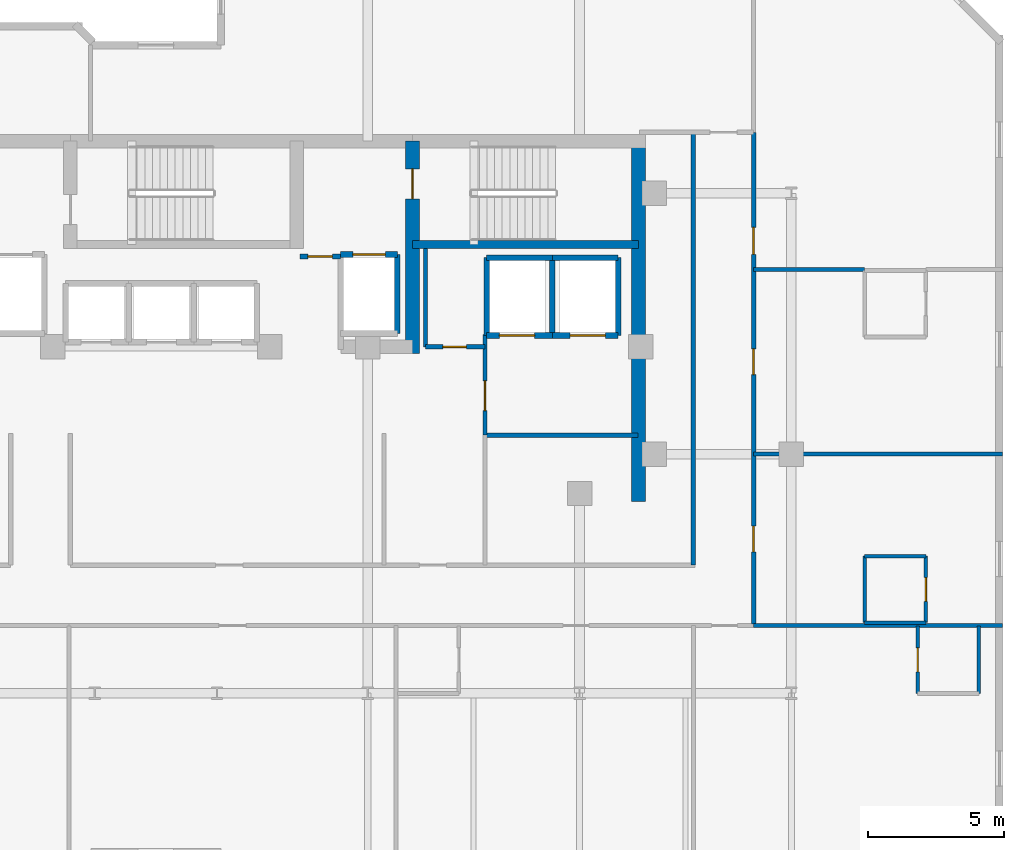
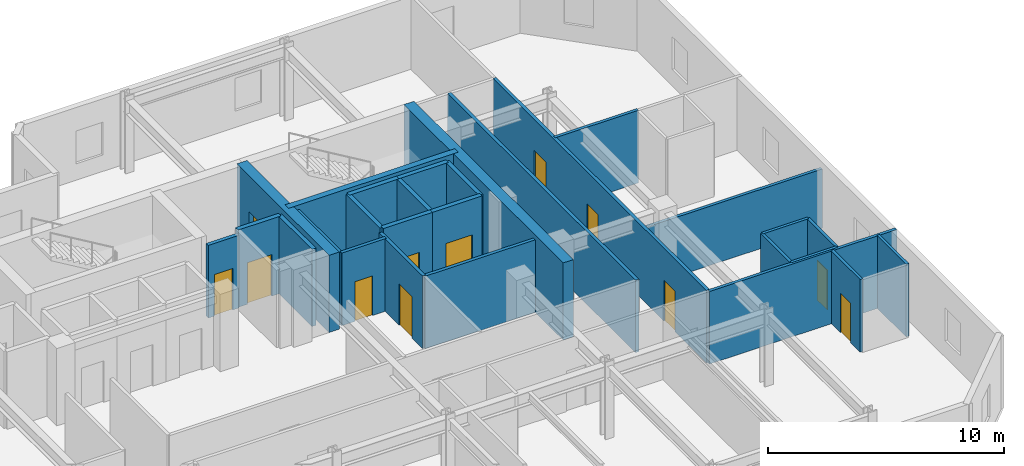
# One storey, part 6 of 10: 28 walls, 12 doors, 12 openings.
"""IFC4 building model written with IfcOpenShell, lengths in metres."""

from ifc_helpers import new_model, si_unit, direction, frame, frame_2d, origin, place, context, subcontext, project, spatial, rectangle, extrude, material, layer, layer_set, type_object, element, fill, save


model = new_model("IFC4")

# Units and contexts
model_context = context("Model", 3, precision=1e-05, world=origin(), true_north=direction((0.0, 1.0)))
body_context = subcontext(model_context, "Body", "Model", "MODEL_VIEW")
ifc_project = project(units=[si_unit("LENGTHUNIT", "METRE"), si_unit("AREAUNIT", "SQUARE_METRE"), si_unit("VOLUMEUNIT", "CUBIC_METRE"), si_unit("PLANEANGLEUNIT", "RADIAN"), si_unit("MASSUNIT", "GRAM", prefix="KILO")], contexts=[model_context])

# Site, building, storey
site_placement = place(None, origin())
site = spatial("IfcSite", under=ifc_project, at=site_placement, CompositionType="ELEMENT")
building_placement = place(site_placement, origin())
building = spatial("IfcBuilding", under=site, at=building_placement, Name="Kestravale Grand Hotel", CompositionType="ELEMENT")
storey_placement = place(building_placement, frame((0.0, 0.0, 269.39990234375)))
storey = spatial("IfcBuildingStorey", under=building, at=storey_placement, Name="L67", CompositionType="ELEMENT", Elevation=269.39990234375)

# Wall
ifc_material_1 = material(Name="Concrete f'c 50 MPa", Category="concrete")
ifc_layer_1 = layer(ifc_material_1, 0.5)
ifc_layer_set_1 = layer_set([ifc_layer_1], Name="EW-CORE-500")
wall_type_1 = type_object("IfcWallType", Name="EW-CORE-500", PredefinedType="SHEAR", material=ifc_layer_set_1)
wall_1_placement = place(storey_placement, frame((56.77001953125, 27.050048828125, 0.0), z_axis=(0.0, 0.0, 1.0), x_axis=(0.0, 1.0, 0.0)))
element("IfcWall", 1, at=wall_1_placement, inside=storey, type_object=wall_type_1, Name="L67 core shear wall E1", PredefinedType="SHEAR", context=body_context, shape_type="SweptSolid", body=[
    extrude(rectangle(XDim=13.52001953125, YDim=0.5, at=frame_2d((6.760009765625, 0.0))), origin(), (0.0, 0.0, 1.0), 4.0),
])

# Wall, opening, door
wall_2_placement = place(storey_placement, frame((48.449951171875, 32.5, 0.0), z_axis=(0.0, 0.0, 1.0), x_axis=(0.0, 1.0, 0.0)))
wall_2 = element("IfcWall", 2, at=wall_2_placement, inside=storey, type_object=wall_type_1, Name="L67 core shear wall X4", PredefinedType="SHEAR", context=body_context, shape_type="SweptSolid", body=[
    extrude(rectangle(XDim=7.820068359375, YDim=0.5, at=frame_2d((3.91015625, 0.0))), origin(), (0.0, 0.0, 1.0), 4.0),
])
opening_1_placement = place(wall_2_placement, frame((5.699951171875, 0.0, 0.0)))
opening_1 = element("IfcOpeningElement", 3, at=opening_1_placement, cuts=wall_2, Name="Opening D-ST-1100", PredefinedType="OPENING", context=body_context, shape_type="SweptSolid", body=[
    extrude(rectangle(XDim=1.10009765625, YDim=2.14990234375, at=frame_2d((0.550048828125, 1.074951171875))), frame((0.0, 0.260009765625, 0.0), z_axis=(0.0, -1.0, 0.0), x_axis=(1.0, 0.0, 0.0)), (0.0, 0.0, 1.0), 0.52001953125),
])
ifc_material_2 = material(Name="Galvanised 90-minute fire-rated steel stair door", Category="steel")
door_type_1 = type_object("IfcDoorType", Name="D-ST-1100", OperationType="NOTDEFINED", PredefinedType="DOOR", material=ifc_material_2)
door_1_placement = place(opening_1_placement, origin())
door_1 = element("IfcDoor", 4, at=door_1_placement, inside=storey, type_object=door_type_1, Name="L67 Stair ST-3 FSAE fire door", OperationType="SINGLE_SWING_RIGHT", OverallHeight=2.14990234375, OverallWidth=1.10009765625, PredefinedType="DOOR", context=body_context, shape_type="SweptSolid", body=[
    extrude(rectangle(XDim=1.10009765625, YDim=2.14990234375, at=frame_2d((0.550048828125, 1.074951171875))), frame((0.0, 0.02490234375, 0.0), z_axis=(0.0, -1.0, 0.0), x_axis=(1.0, 0.0, 0.0)), (0.0, 0.0, 1.0), 0.050048828125),
])
fill(opening_1, door_1)

# Wall
ifc_material_3 = material(Name="Concrete f'c 45 MPa", Category="concrete")
ifc_layer_2 = layer(ifc_material_3, 0.300048828125)
ifc_layer_set_2 = layer_set([ifc_layer_2], Name="EW-STAIR-300")
wall_type_2 = type_object("IfcWallType", Name="EW-STAIR-300", PredefinedType="SHEAR", material=ifc_layer_set_2)
wall_3_placement = place(storey_placement, frame((48.449951171875, 36.52001953125, 0.0), z_axis=(0.0, 0.0, 1.0), x_axis=(1.0, 0.0, 0.0)))
element("IfcWall", 5, at=wall_3_placement, inside=storey, type_object=wall_type_2, Name="L67 stair enclosure shear wall SST3", PredefinedType="SHEAR", context=body_context, shape_type="SweptSolid", body=[
    extrude(rectangle(XDim=8.320068359375, YDim=0.300048828125, at=frame_2d((4.16015625, 0.0))), origin(), (0.0, 0.0, 1.0), 4.0),
])

# Wall, opening, door
ifc_material_4 = material(Name="Acoustic fire-rated gypsum board partition", Category="other")
ifc_layer_3 = layer(ifc_material_4, 0.159912109375)
ifc_layer_set_3 = layer_set([ifc_layer_3], Name="IW-CORR-160")
wall_type_3 = type_object("IfcWallType", Name="IW-CORR-160", PredefinedType="PARTITIONING", material=ifc_layer_set_3)
wall_4_placement = place(storey_placement, frame((51.1201171875, 29.5, 0.0), z_axis=(0.0, 0.0, 1.0), x_axis=(0.0, 1.0, 0.0)))
wall_4 = element("IfcWall", 6, at=wall_4_placement, inside=storey, type_object=wall_type_3, Name="W-L67-SVCLOB-W", PredefinedType="PARTITIONING", context=body_context, shape_type="SweptSolid", body=[
    extrude(rectangle(XDim=3.699951171875, YDim=0.159912109375, at=frame_2d((1.85009765625, 0.0))), origin(), (0.0, 0.0, 1.0), 3.760009765625),
])
opening_2_placement = place(wall_4_placement, frame((0.89990234375, 0.0, 0.0)))
opening_2 = element("IfcOpeningElement", 7, at=opening_2_placement, cuts=wall_4, Name="Opening D-CORR-1100", PredefinedType="OPENING", context=body_context, shape_type="SweptSolid", body=[
    extrude(rectangle(XDim=1.10009765625, YDim=2.14990234375, at=frame_2d((0.550048828125, 1.074951171875))), frame((0.0, 0.08984375, 0.0), z_axis=(0.0, -1.0, 0.0), x_axis=(1.0, 0.0, 0.0)), (0.0, 0.0, 1.0), 0.179931640625),
])
ifc_material_5 = material(Name="Single-leaf service vestibule fire door", Category="steel")
door_type_2 = type_object("IfcDoorType", Name="D-CORR-1100", OperationType="NOTDEFINED", PredefinedType="DOOR", material=ifc_material_5)
door_2_placement = place(opening_2_placement, origin())
door_2 = element("IfcDoor", 8, at=door_2_placement, inside=storey, type_object=door_type_2, Name="L67 service lift lobby door", OperationType="SINGLE_SWING_LEFT", OverallHeight=2.14990234375, OverallWidth=1.10009765625, PredefinedType="DOOR", context=body_context, shape_type="SweptSolid", body=[
    extrude(rectangle(XDim=1.10009765625, YDim=2.14990234375, at=frame_2d((0.550048828125, 1.074951171875))), frame((0.0, 0.02490234375, 0.0), z_axis=(0.0, -1.0, 0.0), x_axis=(1.0, 0.0, 0.0)), (0.0, 0.0, 1.0), 0.050048828125),
])
fill(opening_2, door_2)

# Wall
wall_5_placement = place(storey_placement, frame((51.1201171875, 29.5, 0.0), z_axis=(0.0, 0.0, 1.0), x_axis=(1.0, 0.0, 0.0)))
element("IfcWall", 9, at=wall_5_placement, inside=storey, type_object=wall_type_3, Name="L67 service lift lobby wall", PredefinedType="PARTITIONING", context=body_context, shape_type="SweptSolid", body=[
    extrude(rectangle(XDim=5.6298828125, YDim=0.159912109375, at=frame_2d((2.81494140625, 0.0))), origin(), (0.0, 0.0, 1.0), 3.760009765625),
])

# Wall, opening, door
wall_6_placement = place(storey_placement, frame((48.919921875, 32.75, 0.0), z_axis=(0.0, 0.0, 1.0), x_axis=(1.0, 0.0, 0.0)))
wall_6 = element("IfcWall", 10, at=wall_6_placement, inside=storey, type_object=wall_type_3, Name="W-L67-CES", PredefinedType="PARTITIONING", context=body_context, shape_type="SweptSolid", body=[
    extrude(rectangle(XDim=2.2001953125, YDim=0.159912109375, at=frame_2d((1.10009765625, 0.0))), origin(), (0.0, 0.0, 1.0), 3.760009765625),
])
opening_3_placement = place(wall_6_placement, frame((0.64990234375, 0.0, 0.0)))
opening_3 = element("IfcOpeningElement", 11, at=opening_3_placement, cuts=wall_6, Name="Opening D-SH-860", PredefinedType="OPENING", context=body_context, shape_type="SweptSolid", body=[
    extrude(rectangle(XDim=0.860107421875, YDim=2.050048828125, at=frame_2d((0.43017578125, 1.02490234375))), frame((0.0, 0.08984375, 0.0), z_axis=(0.0, -1.0, 0.0), x_axis=(1.0, 0.0, 0.0)), (0.0, 0.0, 1.0), 0.179931640625),
])
ifc_material_6 = material(Name="Galvanised 90-minute riser fire door", Category="steel")
door_type_3 = type_object("IfcDoorType", Name="D-SH-860", OperationType="NOTDEFINED", PredefinedType="DOOR", material=ifc_material_6)
door_3_placement = place(opening_3_placement, origin())
door_3 = element("IfcDoor", 12, at=door_3_placement, inside=storey, type_object=door_type_3, Name="L67 CSTO1 door", OperationType="SINGLE_SWING_RIGHT", OverallHeight=2.050048828125, OverallWidth=0.860107421875, PredefinedType="DOOR", context=body_context, shape_type="SweptSolid", body=[
    extrude(rectangle(XDim=0.860107421875, YDim=2.050048828125, at=frame_2d((0.43017578125, 1.02490234375))), frame((0.0, 0.02490234375, 0.0), z_axis=(0.0, -1.0, 0.0), x_axis=(1.0, 0.0, 0.0)), (0.0, 0.0, 1.0), 0.050048828125),
])
fill(opening_3, door_3)

# Wall, openings, doors
wall_7_placement = place(storey_placement, frame((61.010009765625, 22.550048828125, 0.0), z_axis=(0.0, 0.0, 1.0), x_axis=(0.0, 1.0, 0.0)))
wall_7 = element("IfcWall", 13, at=wall_7_placement, inside=storey, type_object=wall_type_3, Name="W-L67-SE-E", PredefinedType="PARTITIONING", context=body_context, shape_type="SweptSolid", body=[
    extrude(rectangle(XDim=18.099853515625, YDim=0.159912109375, at=frame_2d((9.0498046875, 0.0))), origin(), (0.0, 0.0, 1.0), 3.760009765625),
])
opening_4_placement = place(wall_7_placement, frame((2.64990234375, 0.0, 0.0)))
opening_4 = element("IfcOpeningElement", 14, at=opening_4_placement, cuts=wall_7, Name="Opening D-GUEST-950", PredefinedType="OPENING", context=body_context, shape_type="SweptSolid", body=[
    extrude(rectangle(XDim=0.949951171875, YDim=2.10009765625, at=frame_2d((0.47509765625, 1.050048828125))), frame((0.0, 0.08984375, 0.0), z_axis=(0.0, -1.0, 0.0), x_axis=(1.0, 0.0, 0.0)), (0.0, 0.0, 1.0), 0.179931640625),
])
opening_5_placement = place(wall_7_placement, frame((9.175048828125, 0.0, 0.0)))
opening_5 = element("IfcOpeningElement", 15, at=opening_5_placement, cuts=wall_7, Name="Opening D-GUEST-950", PredefinedType="OPENING", context=body_context, shape_type="SweptSolid", body=[
    extrude(rectangle(XDim=0.949951171875, YDim=2.10009765625, at=frame_2d((0.47509765625, 1.050048828125))), frame((0.0, 0.08984375, 0.0), z_axis=(0.0, -1.0, 0.0), x_axis=(1.0, 0.0, 0.0)), (0.0, 0.0, 1.0), 0.179931640625),
])
opening_6_placement = place(wall_7_placement, frame((13.60009765625, 0.0, 0.0)))
opening_6 = element("IfcOpeningElement", 16, at=opening_6_placement, cuts=wall_7, Name="Opening D-GUEST-1000", PredefinedType="OPENING", context=body_context, shape_type="SweptSolid", body=[
    extrude(rectangle(XDim=1.0, YDim=2.14990234375, at=frame_2d((0.5, 1.074951171875))), frame((0.0, 0.08984375, 0.0), z_axis=(0.0, -1.0, 0.0), x_axis=(1.0, 0.0, 0.0)), (0.0, 0.0, 1.0), 0.179931640625),
])
ifc_material_7 = material(Name="Accessible walnut veneer hotel entrance fire door", Category="wood")
door_type_4 = type_object("IfcDoorType", Name="D-GUEST-1000", OperationType="NOTDEFINED", PredefinedType="DOOR", material=ifc_material_7)
door_4_placement = place(opening_6_placement, origin())
door_4 = element("IfcDoor", 17, at=door_4_placement, inside=storey, type_object=door_type_4, Name="D-L67-AMEW", OperationType="SINGLE_SWING_LEFT", OverallHeight=2.14990234375, OverallWidth=1.0, PredefinedType="DOOR", context=body_context, shape_type="SweptSolid", body=[
    extrude(rectangle(XDim=1.0, YDim=2.14990234375, at=frame_2d((0.5, 1.074951171875))), frame((0.0, 0.02490234375, 0.0), z_axis=(0.0, -1.0, 0.0), x_axis=(1.0, 0.0, 0.0)), (0.0, 0.0, 1.0), 0.050048828125),
])
fill(opening_6, door_4)
ifc_material_8 = material(Name="Walnut veneer hotel guestroom entrance fire door", Category="wood")
door_type_5 = type_object("IfcDoorType", Name="D-GUEST-950", OperationType="NOTDEFINED", PredefinedType="DOOR", material=ifc_material_8)
door_5_placement = place(opening_4_placement, origin())
door_5 = element("IfcDoor", 18, at=door_5_placement, inside=storey, type_object=door_type_5, Name="D-L67-U06-ENT", OperationType="SINGLE_SWING_RIGHT", OverallHeight=2.10009765625, OverallWidth=0.949951171875, PredefinedType="DOOR", context=body_context, shape_type="SweptSolid", body=[
    extrude(rectangle(XDim=0.949951171875, YDim=2.10009765625, at=frame_2d((0.47509765625, 1.050048828125))), frame((0.0, 0.02490234375, 0.0), z_axis=(0.0, -1.0, 0.0), x_axis=(1.0, 0.0, 0.0)), (0.0, 0.0, 1.0), 0.050048828125),
])
fill(opening_4, door_5)
door_6_placement = place(opening_5_placement, origin())
door_6 = element("IfcDoor", 19, at=door_6_placement, inside=storey, type_object=door_type_5, Name="D-L67-U07-ENT", OperationType="SINGLE_SWING_RIGHT", OverallHeight=2.10009765625, OverallWidth=0.949951171875, PredefinedType="DOOR", context=body_context, shape_type="SweptSolid", body=[
    extrude(rectangle(XDim=0.949951171875, YDim=2.10009765625, at=frame_2d((0.47509765625, 1.050048828125))), frame((0.0, 0.02490234375, 0.0), z_axis=(0.0, -1.0, 0.0), x_axis=(1.0, 0.0, 0.0)), (0.0, 0.0, 1.0), 0.050048828125),
])
fill(opening_5, door_6)

# Wall
wall_8_placement = place(storey_placement, frame((58.7900390625, 24.7099609375, 0.0), z_axis=(0.0, 0.0, 1.0), x_axis=(0.0, 1.0, 0.0)))
element("IfcWall", 20, at=wall_8_placement, inside=storey, type_object=wall_type_3, Name="W-L67-SE-WU", PredefinedType="PARTITIONING", context=body_context, shape_type="SweptSolid", body=[
    extrude(rectangle(XDim=15.93994140625, YDim=0.159912109375, at=frame_2d((7.969970703125, 0.0))), origin(), (0.0, 0.0, 1.0), 3.760009765625),
])

# Wall, opening, door
ifc_material_9 = material(Name="Fire-rated gypsum board on steel studs with mineral wool", Category="steel")
ifc_layer_4 = layer(ifc_material_9, 0.179931640625)
ifc_layer_set_4 = layer_set([ifc_layer_4], Name="IW-FSAE-180")
wall_type_4 = type_object("IfcWallType", Name="IW-FSAE-180", PredefinedType="PARTITIONING", material=ifc_layer_set_4)
wall_9_placement = place(storey_placement, frame((44.300048828125, 36.080078125, 0.0), z_axis=(0.0, 0.0, 1.0), x_axis=(1.0, 0.0, 0.0)))
wall_9 = element("IfcWall", 21, at=wall_9_placement, inside=storey, type_object=wall_type_4, Name="L67 FSAE Lobby 2 smoke barrier", PredefinedType="PARTITIONING", context=body_context, shape_type="SweptSolid", body=[
    extrude(rectangle(XDim=1.5, YDim=0.179931640625, at=frame_2d((0.75, 0.0))), origin(), (0.0, 0.0, 1.0), 3.760009765625),
])
opening_7_placement = place(wall_9_placement, frame((0.300048828125, 0.0, 0.0)))
opening_7 = element("IfcOpeningElement", 22, at=opening_7_placement, cuts=wall_9, Name="Opening D-FSAE-1000", PredefinedType="OPENING", context=body_context, shape_type="SweptSolid", body=[
    extrude(rectangle(XDim=0.89990234375, YDim=2.14990234375, at=frame_2d((0.449951171875, 1.074951171875))), frame((0.0, 0.099853515625, 0.0), z_axis=(0.0, -1.0, 0.0), x_axis=(1.0, 0.0, 0.0)), (0.0, 0.0, 1.0), 0.199951171875),
])
ifc_material_10 = material(Name="Smoke-gasketed FSAE lobby fire door", Category="steel")
door_type_6 = type_object("IfcDoorType", Name="D-FSAE-1000", OperationType="NOTDEFINED", PredefinedType="DOOR", material=ifc_material_10)
door_7_placement = place(opening_7_placement, origin())
door_7 = element("IfcDoor", 23, at=door_7_placement, inside=storey, type_object=door_type_6, Name="L67 FSAE Lobby 2 fire door", OperationType="SINGLE_SWING_LEFT", OverallHeight=2.14990234375, OverallWidth=0.89990234375, PredefinedType="DOOR", context=body_context, shape_type="SweptSolid", body=[
    extrude(rectangle(XDim=0.89990234375, YDim=2.14990234375, at=frame_2d((0.449951171875, 1.074951171875))), frame((0.0, 0.02490234375, 0.0), z_axis=(0.0, -1.0, 0.0), x_axis=(1.0, 0.0, 0.0)), (0.0, 0.0, 1.0), 0.050048828125),
])
fill(opening_7, door_7)

ifc_material_11 = material(Name="Moisture-resistant tile-backer plumbing chase wall", Category="other")
ifc_layer_5 = layer(ifc_material_11, 0.139892578125)
ifc_layer_set_5 = layer_set([ifc_layer_5], Name="IW-PLB-140")
wall_type_5 = type_object("IfcWallType", Name="IW-PLB-140", PredefinedType="PLUMBINGWALL", material=ifc_layer_set_5)
wall_10_placement = place(storey_placement, frame((67.050048828125, 19.97998046875, 0.0), z_axis=(0.0, 0.0, 1.0), x_axis=(0.0, 1.0, 0.0)))
wall_10 = element("IfcWall", 24, at=wall_10_placement, inside=storey, type_object=wall_type_5, Name="W-L67-U05-BW", PredefinedType="PLUMBINGWALL", context=body_context, shape_type="SweptSolid", body=[
    extrude(rectangle(XDim=2.489990234375, YDim=0.139892578125, at=frame_2d((1.2451171875, 0.0))), origin(), (0.0, 0.0, 1.0), 3.760009765625),
])
opening_8_placement = place(wall_10_placement, frame((0.804931640625, 0.0, 0.0)))
opening_8 = element("IfcOpeningElement", 25, at=opening_8_placement, cuts=wall_10, Name="Opening D-BATH-880", PredefinedType="OPENING", context=body_context, shape_type="SweptSolid", body=[
    extrude(rectangle(XDim=0.8798828125, YDim=2.050048828125, at=frame_2d((0.43994140625, 1.02490234375))), frame((0.0, 0.079833984375, 0.0), z_axis=(0.0, -1.0, 0.0), x_axis=(1.0, 0.0, 0.0)), (0.0, 0.0, 1.0), 0.159912109375),
])
ifc_material_12 = material(Name="Moisture-sealed walnut en-suite bathroom door", Category="wood")
door_type_7 = type_object("IfcDoorType", Name="D-BATH-880", OperationType="NOTDEFINED", PredefinedType="DOOR", material=ifc_material_12)
door_8_placement = place(opening_8_placement, origin())
door_8 = element("IfcDoor", 26, at=door_8_placement, inside=storey, type_object=door_type_7, Name="D-L67-U05-BATH", OperationType="SINGLE_SWING_LEFT", OverallHeight=2.050048828125, OverallWidth=0.8798828125, PredefinedType="DOOR", context=body_context, shape_type="SweptSolid", body=[
    extrude(rectangle(XDim=0.8798828125, YDim=2.050048828125, at=frame_2d((0.43994140625, 1.02490234375))), frame((0.0, 0.02490234375, 0.0), z_axis=(0.0, -1.0, 0.0), x_axis=(1.0, 0.0, 0.0)), (0.0, 0.0, 1.0), 0.050048828125),
])
fill(opening_8, door_8)

# Walls
wall_11_placement = place(storey_placement, frame((69.300048828125, 19.97998046875, 0.0), z_axis=(0.0, 0.0, 1.0), x_axis=(0.0, 1.0, 0.0)))
element("IfcWall", 27, at=wall_11_placement, inside=storey, type_object=wall_type_5, Name="W-L67-U05-BE", PredefinedType="PLUMBINGWALL", context=body_context, shape_type="SweptSolid", body=[
    extrude(rectangle(XDim=2.489990234375, YDim=0.139892578125, at=frame_2d((1.2451171875, 0.0))), origin(), (0.0, 0.0, 1.0), 3.760009765625),
])
wall_12_placement = place(storey_placement, frame((65.10009765625, 22.590087890625, 0.0), z_axis=(0.0, 0.0, 1.0), x_axis=(0.0, 1.0, 0.0)))
element("IfcWall", 28, at=wall_12_placement, inside=storey, type_object=wall_type_5, Name="W-L67-U06-BW", PredefinedType="PLUMBINGWALL", context=body_context, shape_type="SweptSolid", body=[
    extrude(rectangle(XDim=2.449951171875, YDim=0.139892578125, at=frame_2d((1.22509765625, 0.0))), origin(), (0.0, 0.0, 1.0), 3.760009765625),
])

# Wall, opening, door
wall_13_placement = place(storey_placement, frame((67.35009765625, 22.590087890625, 0.0), z_axis=(0.0, 0.0, 1.0), x_axis=(0.0, 1.0, 0.0)))
wall_13 = element("IfcWall", 29, at=wall_13_placement, inside=storey, type_object=wall_type_5, Name="W-L67-U06-BE", PredefinedType="PLUMBINGWALL", context=body_context, shape_type="SweptSolid", body=[
    extrude(rectangle(XDim=2.449951171875, YDim=0.139892578125, at=frame_2d((1.22509765625, 0.0))), origin(), (0.0, 0.0, 1.0), 3.760009765625),
])
opening_9_placement = place(wall_13_placement, frame((0.784912109375, 0.0, 0.0)))
opening_9 = element("IfcOpeningElement", 30, at=opening_9_placement, cuts=wall_13, Name="Opening D-BATH-880", PredefinedType="OPENING", context=body_context, shape_type="SweptSolid", body=[
    extrude(rectangle(XDim=0.8798828125, YDim=2.050048828125, at=frame_2d((0.43994140625, 1.02490234375))), frame((0.0, 0.079833984375, 0.0), z_axis=(0.0, -1.0, 0.0), x_axis=(1.0, 0.0, 0.0)), (0.0, 0.0, 1.0), 0.159912109375),
])
door_9_placement = place(opening_9_placement, origin())
door_9 = element("IfcDoor", 31, at=door_9_placement, inside=storey, type_object=door_type_7, Name="D-L67-U06-BATH", OperationType="SINGLE_SWING_LEFT", OverallHeight=2.050048828125, OverallWidth=0.8798828125, PredefinedType="DOOR", context=body_context, shape_type="SweptSolid", body=[
    extrude(rectangle(XDim=0.8798828125, YDim=2.050048828125, at=frame_2d((0.43994140625, 1.02490234375))), frame((0.0, 0.02490234375, 0.0), z_axis=(0.0, -1.0, 0.0), x_axis=(1.0, 0.0, 0.0)), (0.0, 0.0, 1.0), 0.050048828125),
])
fill(opening_9, door_9)

# Walls
for number, where, z_axis, x_axis, name in (
    (32, (65.10009765625, 22.590087890625, 0.0), (0.0, 0.0, 1.0), (1.0, 0.0, 0.0), "W-L67-U06-BS"),
    (33, (65.10009765625, 25.0400390625, 0.0), (0.0, 0.0, 1.0), (1.0, 0.0, 0.0), "W-L67-U06-BN"),
):
    element("IfcWall", number, at=place(storey_placement, frame(where, z_axis=z_axis, x_axis=x_axis)), inside=storey, type_object=wall_type_5, Name=name, PredefinedType="PLUMBINGWALL", context=body_context, shape_type="SweptSolid", body=[
        extrude(rectangle(XDim=2.25, YDim=0.139892578125, at=frame_2d((1.125, 0.0))), origin(), (0.0, 0.0, 1.0), 3.760009765625),
    ])
ifc_material_13 = material(Name="Concrete f'c 45 MPa", Category="concrete")
ifc_layer_6 = layer(ifc_material_13, 0.199951171875)
ifc_layer_set_6 = layer_set([ifc_layer_6], Name="IW-SHAFT-200")
wall_type_6 = type_object("IfcWallType", Name="IW-SHAFT-200", PredefinedType="SHEAR", material=ifc_layer_set_6)
for number, where, z_axis, x_axis, name in (
    (34, (51.179931640625, 33.169921875, 0.0), (0.0, 0.0, 1.0), (0.0, 1.0, 0.0), "L67 SL-1 west shaft wall"),
    (35, (53.60009765625, 33.169921875, 0.0), (0.0, 0.0, 1.0), (0.0, 1.0, 0.0), "L67 SL-2 west shaft wall"),
    (36, (56.02001953125, 33.169921875, 0.0), (0.0, 0.0, 1.0), (0.0, 1.0, 0.0), "L67 SL-2 east shaft wall"),
):
    element("IfcWall", number, at=place(storey_placement, frame(where, z_axis=z_axis, x_axis=x_axis)), inside=storey, type_object=wall_type_6, Name=name, PredefinedType="SHEAR", context=body_context, shape_type="SweptSolid", body=[
        extrude(rectangle(XDim=2.860107421875, YDim=0.199951171875, at=frame_2d((1.43017578125, 0.0))), origin(), (0.0, 0.0, 1.0), 4.0),
    ])
wall_14_placement = place(storey_placement, frame((47.89501953125, 33.2451171875, 0.0), z_axis=(0.0, 0.0, 1.0), x_axis=(0.0, 1.0, 0.0)))
element("IfcWall", 37, at=wall_14_placement, inside=storey, type_object=wall_type_6, Name="L67 FL-2 east shaft wall", PredefinedType="SHEAR", context=body_context, shape_type="SweptSolid", body=[
    extrude(rectangle(XDim=2.909912109375, YDim=0.199951171875, at=frame_2d((1.455078125, 0.0))), origin(), (0.0, 0.0, 1.0), 4.0),
])
ifc_material_14 = material(Name="Concrete f'c 45 MPa", Category="concrete")
ifc_layer_7 = layer(ifc_material_14, 0.219970703125)
ifc_layer_set_7 = layer_set([ifc_layer_7], Name="IW-SHAFT-220")
wall_type_7 = type_object("IfcWallType", Name="IW-SHAFT-220", PredefinedType="SHEAR", material=ifc_layer_set_7)
wall_15_placement = place(storey_placement, frame((51.179931640625, 36.030029296875, 0.0), z_axis=(0.0, 0.0, 1.0), x_axis=(1.0, 0.0, 0.0)))
element("IfcWall", 38, at=wall_15_placement, inside=storey, type_object=wall_type_7, Name="L67 SL-1 north shaft wall", PredefinedType="SHEAR", context=body_context, shape_type="SweptSolid", body=[
    extrude(rectangle(XDim=2.420166015625, YDim=0.219970703125, at=frame_2d((1.2099609375, 0.0))), origin(), (0.0, 0.0, 1.0), 4.0),
])

# Wall, opening, door
wall_16_placement = place(storey_placement, frame((51.179931640625, 33.169921875, 0.0), z_axis=(0.0, 0.0, 1.0), x_axis=(1.0, 0.0, 0.0)))
wall_16 = element("IfcWall", 39, at=wall_16_placement, inside=storey, type_object=wall_type_7, Name="L67 SL-1 south shaft wall", PredefinedType="SHEAR", context=body_context, shape_type="SweptSolid", body=[
    extrude(rectangle(XDim=2.420166015625, YDim=0.219970703125, at=frame_2d((1.2099609375, 0.0))), origin(), (0.0, 0.0, 1.0), 4.0),
])
opening_10_placement = place(wall_16_placement, frame((0.469970703125, 0.0, 0.0)))
opening_10 = element("IfcOpeningElement", 40, at=opening_10_placement, cuts=wall_16, Name="Opening LD-SVC-1300", PredefinedType="OPENING", context=body_context, shape_type="SweptSolid", body=[
    extrude(rectangle(XDim=1.300048828125, YDim=2.14990234375, at=frame_2d((0.64990234375, 1.074951171875))), frame((0.0, 0.119873046875, 0.0), z_axis=(0.0, -1.0, 0.0), x_axis=(1.0, 0.0, 0.0)), (0.0, 0.0, 1.0), 0.239990234375),
])
ifc_material_15 = material(Name="Heavy-duty service sliding elevator landing door", Category="steel")
door_type_8 = type_object("IfcDoorType", Name="LD-SVC-1300", OperationType="NOTDEFINED", PredefinedType="DOOR", material=ifc_material_15)
door_10_placement = place(opening_10_placement, origin())
door_10 = element("IfcDoor", 41, at=door_10_placement, inside=storey, type_object=door_type_8, Name="L67 SL-1 elevator landing sliding door", OperationType="DOUBLE_DOOR_SLIDING", OverallHeight=2.14990234375, OverallWidth=1.300048828125, PredefinedType="DOOR", context=body_context, shape_type="SweptSolid", body=[
    extrude(rectangle(XDim=1.300048828125, YDim=2.14990234375, at=frame_2d((0.64990234375, 1.074951171875))), frame((0.0, 0.02490234375, 0.0), z_axis=(0.0, -1.0, 0.0), x_axis=(1.0, 0.0, 0.0)), (0.0, 0.0, 1.0), 0.050048828125),
])
fill(opening_10, door_10)

# Wall
wall_17_placement = place(storey_placement, frame((53.60009765625, 36.030029296875, 0.0), z_axis=(0.0, 0.0, 1.0), x_axis=(1.0, 0.0, 0.0)))
element("IfcWall", 42, at=wall_17_placement, inside=storey, type_object=wall_type_7, Name="L67 SL-2 north shaft wall", PredefinedType="SHEAR", context=body_context, shape_type="SweptSolid", body=[
    extrude(rectangle(XDim=2.419921875, YDim=0.219970703125, at=frame_2d((1.2099609375, 0.0))), origin(), (0.0, 0.0, 1.0), 4.0),
])

# Wall, opening, door
wall_18_placement = place(storey_placement, frame((53.60009765625, 33.169921875, 0.0), z_axis=(0.0, 0.0, 1.0), x_axis=(1.0, 0.0, 0.0)))
wall_18 = element("IfcWall", 43, at=wall_18_placement, inside=storey, type_object=wall_type_7, Name="L67 SL-2 south shaft wall", PredefinedType="SHEAR", context=body_context, shape_type="SweptSolid", body=[
    extrude(rectangle(XDim=2.419921875, YDim=0.219970703125, at=frame_2d((1.2099609375, 0.0))), origin(), (0.0, 0.0, 1.0), 4.0),
])
opening_11_placement = place(wall_18_placement, frame((0.64990234375, 0.0, 0.0)))
opening_11 = element("IfcOpeningElement", 44, at=opening_11_placement, cuts=wall_18, Name="Opening LD-SVC-1300", PredefinedType="OPENING", context=body_context, shape_type="SweptSolid", body=[
    extrude(rectangle(XDim=1.300048828125, YDim=2.14990234375, at=frame_2d((0.64990234375, 1.074951171875))), frame((0.0, 0.119873046875, 0.0), z_axis=(0.0, -1.0, 0.0), x_axis=(1.0, 0.0, 0.0)), (0.0, 0.0, 1.0), 0.239990234375),
])
door_11_placement = place(opening_11_placement, origin())
door_11 = element("IfcDoor", 45, at=door_11_placement, inside=storey, type_object=door_type_8, Name="L67 SL-2 elevator landing sliding door", OperationType="DOUBLE_DOOR_SLIDING", OverallHeight=2.14990234375, OverallWidth=1.300048828125, PredefinedType="DOOR", context=body_context, shape_type="SweptSolid", body=[
    extrude(rectangle(XDim=1.300048828125, YDim=2.14990234375, at=frame_2d((0.64990234375, 1.074951171875))), frame((0.0, 0.02490234375, 0.0), z_axis=(0.0, -1.0, 0.0), x_axis=(1.0, 0.0, 0.0)), (0.0, 0.0, 1.0), 0.050048828125),
])
fill(opening_11, door_11)

wall_19_placement = place(storey_placement, frame((45.804931640625, 36.155029296875, 0.0), z_axis=(0.0, 0.0, 1.0), x_axis=(1.0, 0.0, 0.0)))
wall_19 = element("IfcWall", 46, at=wall_19_placement, inside=storey, type_object=wall_type_7, Name="L67 FL-2 north shaft wall", PredefinedType="SHEAR", context=body_context, shape_type="SweptSolid", body=[
    extrude(rectangle(XDim=2.090087890625, YDim=0.219970703125, at=frame_2d((1.044921875, 0.0))), origin(), (0.0, 0.0, 1.0), 4.0),
])
opening_12_placement = place(wall_19_placement, frame((0.445068359375, 0.0, 0.0)))
opening_12 = element("IfcOpeningElement", 47, at=opening_12_placement, cuts=wall_19, Name="Opening LD-FSAE-1200", PredefinedType="OPENING", context=body_context, shape_type="SweptSolid", body=[
    extrude(rectangle(XDim=1.199951171875, YDim=2.14990234375, at=frame_2d((0.60009765625, 1.074951171875))), frame((0.0, 0.119873046875, 0.0), z_axis=(0.0, -1.0, 0.0), x_axis=(1.0, 0.0, 0.0)), (0.0, 0.0, 1.0), 0.239990234375),
])
ifc_material_16 = material(Name="Stainless fire-service sliding elevator landing door", Category="steel")
door_type_9 = type_object("IfcDoorType", Name="LD-FSAE-1200", OperationType="NOTDEFINED", PredefinedType="DOOR", material=ifc_material_16)
door_12_placement = place(opening_12_placement, origin())
door_12 = element("IfcDoor", 48, at=door_12_placement, inside=storey, type_object=door_type_9, Name="L67 FL-2 elevator landing sliding door", OperationType="DOUBLE_DOOR_SLIDING", OverallHeight=2.14990234375, OverallWidth=1.199951171875, PredefinedType="DOOR", context=body_context, shape_type="SweptSolid", body=[
    extrude(rectangle(XDim=1.199951171875, YDim=2.14990234375, at=frame_2d((0.60009765625, 1.074951171875))), frame((0.0, 0.02490234375, 0.0), z_axis=(0.0, -1.0, 0.0), x_axis=(1.0, 0.0, 0.0)), (0.0, 0.0, 1.0), 0.050048828125),
])
fill(opening_12, door_12)

# Walls
ifc_material_17 = material(Name="Double-stud STC 52 acoustic demising partition", Category="other")
ifc_layer_8 = layer(ifc_material_17, 0.14990234375)
ifc_layer_set_8 = layer_set([ifc_layer_8], Name="IW-UNIT-150")
wall_type_8 = type_object("IfcWallType", Name="IW-UNIT-150", PredefinedType="PARTITIONING", material=ifc_layer_set_8)
wall_20_placement = place(storey_placement, frame((48.919921875, 32.75, 0.0), z_axis=(0.0, 0.0, 1.0), x_axis=(0.0, 1.0, 0.0)))
element("IfcWall", 49, at=wall_20_placement, inside=storey, type_object=wall_type_8, Name="W-L67-CEW", PredefinedType="PARTITIONING", context=body_context, shape_type="SweptSolid", body=[
    extrude(rectangle(XDim=3.6201171875, YDim=0.14990234375, at=frame_2d((1.81005859375, 0.0))), origin(), (0.0, 0.0, 1.0), 3.760009765625),
])
wall_21_placement = place(storey_placement, frame((61.010009765625, 22.489990234375, 0.0), z_axis=(0.0, 0.0, 1.0), x_axis=(1.0, 0.0, 0.0)))
element("IfcWall", 50, at=wall_21_placement, inside=storey, type_object=wall_type_8, Name="W-L67-SEC-N", PredefinedType="PARTITIONING", context=body_context, shape_type="SweptSolid", body=[
    extrude(rectangle(XDim=9.169921875, YDim=0.14990234375, at=frame_2d((4.5849609375, 0.0))), origin(), (0.0, 0.0, 1.0), 3.760009765625),
])
wall_22_placement = place(storey_placement, frame((61.010009765625, 28.800048828125, 0.0), z_axis=(0.0, 0.0, 1.0), x_axis=(1.0, 0.0, 0.0)))
element("IfcWall", 51, at=wall_22_placement, inside=storey, type_object=wall_type_8, Name="W-L67-EW-1", PredefinedType="PARTITIONING", context=body_context, shape_type="SweptSolid", body=[
    extrude(rectangle(XDim=9.169921875, YDim=0.14990234375, at=frame_2d((4.5849609375, 0.0))), origin(), (0.0, 0.0, 1.0), 3.064208984375),
])
wall_23_placement = place(storey_placement, frame((61.010009765625, 35.60009765625, 0.0), z_axis=(0.0, 0.0, 1.0), x_axis=(1.0, 0.0, 0.0)))
element("IfcWall", 52, at=wall_23_placement, inside=storey, type_object=wall_type_8, Name="W-L67-EW-2", PredefinedType="PARTITIONING", context=body_context, shape_type="SweptSolid", body=[
    extrude(rectangle(XDim=4.090087890625, YDim=0.14990234375, at=frame_2d((2.044921875, 0.0))), origin(), (0.0, 0.0, 1.0), 3.760009765625),
])

save(model, "model.ifc")
